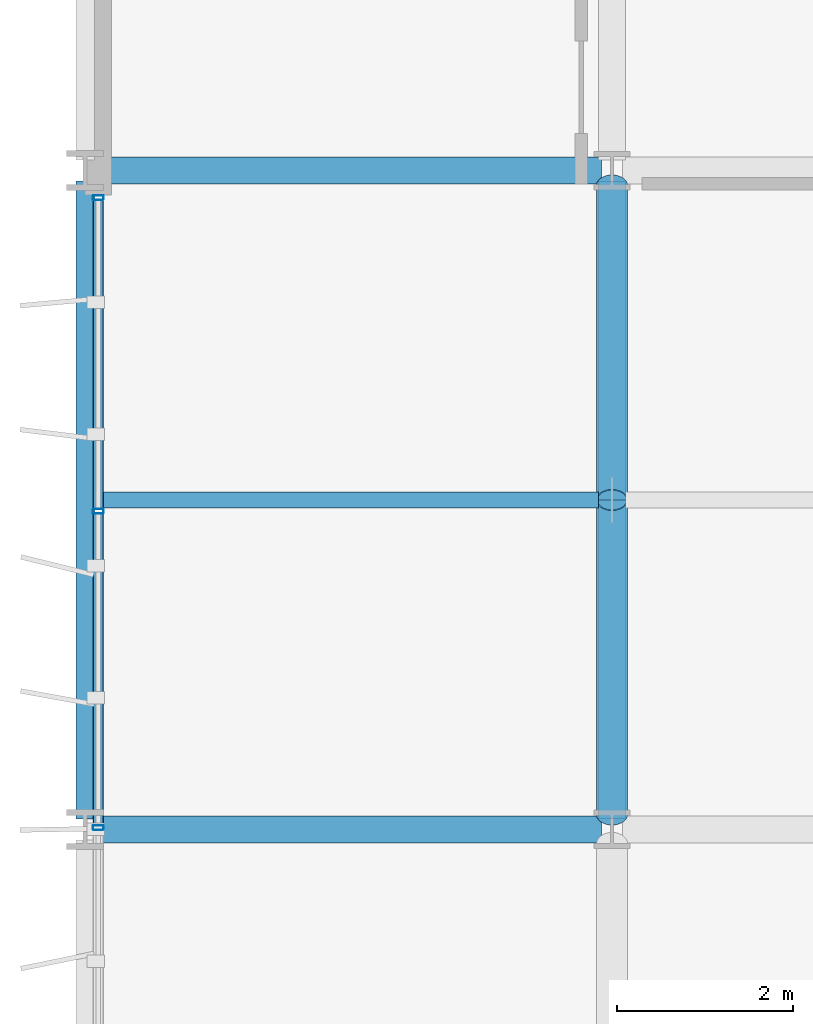
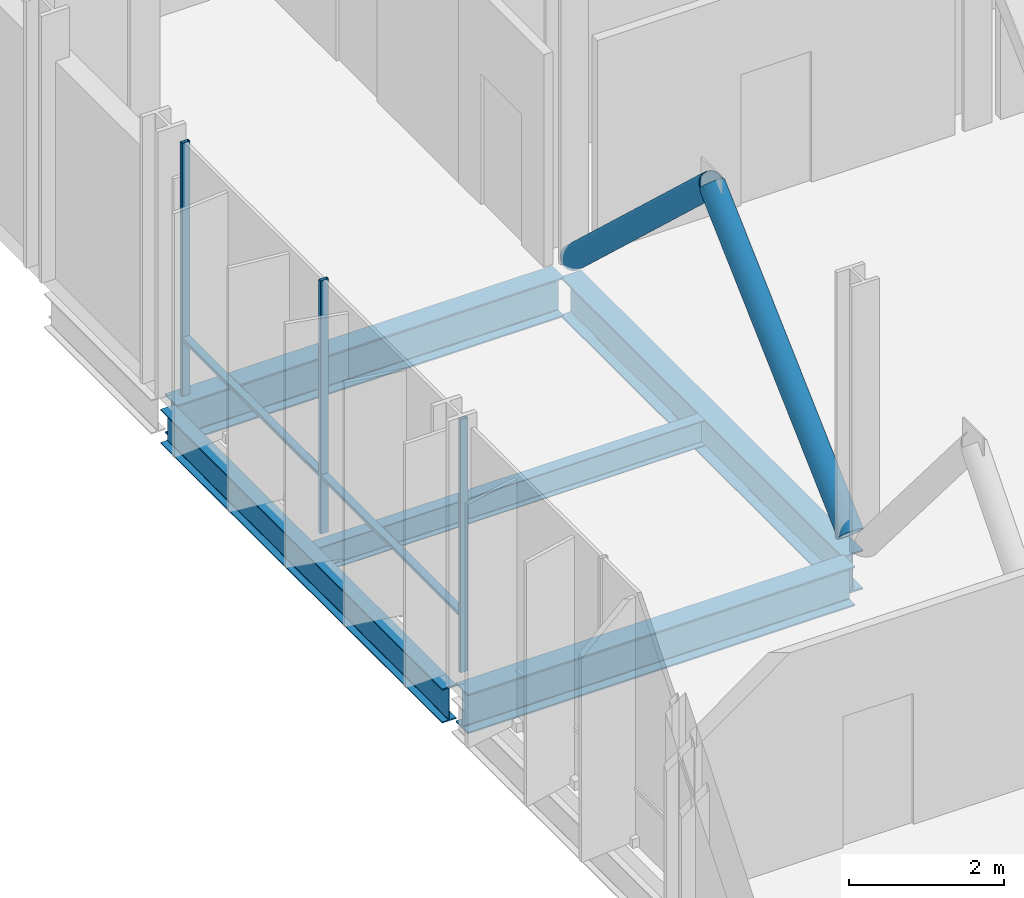
# One storey, part 5 of 32: 7 members, 5 beams, 1 element without a shape of its own.
"""IFC4 building model written with IfcOpenShell, lengths in metres."""

from ifc_helpers import new_model, si_unit, direction, frame, origin, origin_2d, place, context, subcontext, project, spatial, hollow_rectangle, hollow_circle, i_section, extrude, material, layer, layer_set, material_profile, profile_set, type_object, element, aggregate, save


model = new_model("IFC4")

# Units and contexts
model_context = context("Model", 3, precision=1e-05, world=origin(), true_north=direction((0.0, 1.0)))
body_context = subcontext(model_context, "Body", "Model", "MODEL_VIEW")
ifc_project = project(units=[si_unit("LENGTHUNIT", "METRE"), si_unit("AREAUNIT", "SQUARE_METRE"), si_unit("VOLUMEUNIT", "CUBIC_METRE"), si_unit("PLANEANGLEUNIT", "RADIAN"), si_unit("MASSUNIT", "GRAM", prefix="KILO")], contexts=[model_context])

# Site, building, storey
site_placement = place(None, origin())
site = spatial("IfcSite", under=ifc_project, at=site_placement, CompositionType="ELEMENT")
building_placement = place(site_placement, origin())
building = spatial("IfcBuilding", under=site, at=building_placement, Name="Brevholm Reach", CompositionType="ELEMENT")
storey_placement = place(building_placement, frame((0.0, 0.0, 96.199951171875)))
storey = spatial("IfcBuildingStorey", under=building, at=storey_placement, Name="L28", CompositionType="ELEMENT", Elevation=96.199951171875)

# Beams
ifc_material_1 = material(Name="Structural Steel S355J2", Category="steel")
ifc_material_profile_1 = material_profile(ifc_material_1, i_section(OverallWidth=0.177978515625, OverallDepth=0.406494140625, WebThickness=0.0078125, FlangeThickness=0.0126953125, FilletRadius=0.01025390625, at=origin_2d()), Name="UKB 406x178x60")
ifc_profile_set_1 = profile_set([ifc_material_profile_1], Name="Structural Steel S355J2")
beam_type_1 = type_object("IfcBeamType", Name="BM-B406", PredefinedType="BEAM", material=ifc_profile_set_1)
beam_1_placement = place(storey_placement, frame((0.10546875, 19.75, -0.463134765625), z_axis=(1.0, 0.0, 0.0), x_axis=(0.0, 1.0, 0.0)))
element("IfcBeam", 1, at=beam_1_placement, inside=storey, type_object=beam_type_1, Name="L28 Composite Secondary Floor Beam", PredefinedType="BEAM", context=body_context, shape_type="SweptSolid", body=[
    extrude(i_section(OverallWidth=0.177978515625, OverallDepth=0.406494140625, WebThickness=0.0078125, FlangeThickness=0.0126953125, FilletRadius=0.01025390625, at=origin_2d()), origin(), (0.0, 0.0, 1.0), 5.740966796875),
])
ifc_material_2 = material(Name="Structural Steel S355J2", Category="steel")
ifc_material_profile_2 = material_profile(ifc_material_2, i_section(OverallWidth=0.210693359375, OverallDepth=0.53955078125, WebThickness=0.01171875, FlangeThickness=0.018798828125, FilletRadius=0.0126953125, at=origin_2d()), Name="UKB 533x210x109")
ifc_profile_set_2 = profile_set([ifc_material_profile_2], Name="Structural Steel S355J2")
beam_type_2 = type_object("IfcBeamType", Name="BM-SP539", PredefinedType="SPANDREL", material=ifc_profile_set_2)
beam_2_placement = place(storey_placement, frame((0.0, 16.1201171875, -0.52978515625), z_axis=(0.0, 1.0, 0.0), x_axis=(-1.0, 0.0, 0.0)))
element("IfcBeam", 2, at=beam_2_placement, inside=storey, type_object=beam_type_2, Name="L28 SP-01B Framing Beam", PredefinedType="SPANDREL", context=body_context, shape_type="SweptSolid", body=[
    extrude(i_section(OverallWidth=0.210693359375, OverallDepth=0.53955078125, WebThickness=0.01171875, FlangeThickness=0.018798828125, FilletRadius=0.0126953125, at=origin_2d()), origin(), (0.0, 0.0, 1.0), 7.259765625),
])
ifc_material_3 = material(Name="Structural Steel S355J2", Category="steel")
ifc_material_profile_3 = material_profile(ifc_material_3, i_section(OverallWidth=0.30712890625, OverallDepth=0.6201171875, WebThickness=0.01416015625, FlangeThickness=0.023681640625, FilletRadius=0.0166015625, at=origin_2d()), Name="UKB 610x305x179")
ifc_profile_set_3 = profile_set([ifc_material_profile_3], Name="Structural Steel S355J2")
beam_type_3 = type_object("IfcBeamType", Name="BM-UKB610H", PredefinedType="USERDEFINED", material=ifc_profile_set_3)
for number, where, z_axis, x_axis, name in (
    (3, (0.1201171875, 16.0, -0.570068359375), (1.0, 0.0, 0.0), (0.0, 1.0, 0.0), "L28 G-06 Framing Beam"),
    (4, (0.1201171875, 23.5, -0.570068359375), (1.0, 0.0, 0.0), (0.0, 1.0, 0.0), "L28 G-06 Framing Beam"),
):
    element("IfcBeam", number, at=place(storey_placement, frame(where, z_axis=z_axis, x_axis=x_axis)), inside=storey, type_object=beam_type_3, Name=name, ObjectType="GIRDER", PredefinedType="USERDEFINED", context=body_context, shape_type="SweptSolid", body=[
        extrude(i_section(OverallWidth=0.30712890625, OverallDepth=0.6201171875, WebThickness=0.01416015625, FlangeThickness=0.023681640625, FilletRadius=0.0166015625, at=origin_2d()), origin(), (0.0, 0.0, 1.0), 5.759765625),
    ])
beam_3_placement = place(storey_placement, frame((6.0, 16.1201171875, -0.570068359375), z_axis=(0.0, 1.0, 0.0), x_axis=(-1.0, 0.0, 0.0)))
element("IfcBeam", 5, at=beam_3_placement, inside=storey, type_object=beam_type_3, Name="L28 G-06 Framing Beam", ObjectType="GIRDER", PredefinedType="USERDEFINED", context=body_context, shape_type="SweptSolid", body=[
    extrude(i_section(OverallWidth=0.30712890625, OverallDepth=0.6201171875, WebThickness=0.01416015625, FlangeThickness=0.023681640625, FilletRadius=0.0166015625, at=origin_2d()), origin(), (0.0, 0.0, 1.0), 7.259765625),
])

# Curtain wall, members
ifc_material_4 = material(Name="Dark Anodised Aluminium 6063-T6 and Solar-Control Glass", Category="aluminium")
ifc_layer = layer(ifc_material_4, 0.1201171875)
ifc_layer_set = layer_set([ifc_layer], Name="Dark Anodised Aluminium 6063-T6 and Solar-Control Glass")
curtain_wall_type = type_object("IfcCurtainWallType", Name="CW-06", PredefinedType="NOTDEFINED", material=ifc_layer_set)
curtain_wall_placement = place(storey_placement, origin())
curtain_wall = element("IfcCurtainWall", 6, at=curtain_wall_placement, inside=storey, type_object=curtain_wall_type, Name="L28 Curtain Wall CW-06", PredefinedType="NOTDEFINED")
ifc_material_5 = material(Name="Dark Anodised Aluminium 6063-T6", Category="aluminium")
ifc_material_profile_4 = material_profile(ifc_material_5, hollow_rectangle(XDim=0.054931640625, YDim=0.1201171875, WallThickness=0.00390625, InnerFilletRadius=0.00390625, OuterFilletRadius=0.008056640625, at=origin_2d()), Name="RHS 120x55x4")
ifc_profile_set_4 = profile_set([ifc_material_profile_4], Name="Dark Anodised Aluminium 6063-T6")
member_type_1 = type_object("IfcMemberType", Name="CWM-120", PredefinedType="MULLION", material=ifc_profile_set_4)
member_1_placement = place(storey_placement, frame((0.14990234375, 23.1923828125, 0.0), z_axis=(0.0, 0.0, 1.0), x_axis=(0.0, -1.0, 0.0)))
member_1 = element("IfcMember", 7, at=member_1_placement, type_object=member_type_1, Name="CM-120 Mullion 1", PredefinedType="MULLION", context=body_context, shape_type="SweptSolid", body=[
    extrude(hollow_rectangle(XDim=0.054931640625, YDim=0.1201171875, WallThickness=0.00390625, InnerFilletRadius=0.00390625, OuterFilletRadius=0.008056640625, at=origin_2d()), origin(), (0.0, 0.0, 1.0), 3.97998046875),
])
member_2_placement = place(storey_placement, frame((0.14990234375, 19.6201171875, 0.0), z_axis=(0.0, 0.0, 1.0), x_axis=(0.0, -1.0, 0.0)))
member_2 = element("IfcMember", 8, at=member_2_placement, type_object=member_type_1, Name="CM-120 Mullion 2", PredefinedType="MULLION", context=body_context, shape_type="SweptSolid", body=[
    extrude(hollow_rectangle(XDim=0.054931640625, YDim=0.1201171875, WallThickness=0.00390625, InnerFilletRadius=0.00390625, OuterFilletRadius=0.008056640625, at=origin_2d()), origin(), (0.0, 0.0, 1.0), 3.97998046875),
])
member_3_placement = place(storey_placement, frame((0.14990234375, 16.02001953125, 0.0), z_axis=(0.0, 0.0, 1.0), x_axis=(0.0, -1.0, 0.0)))
member_3 = element("IfcMember", 9, at=member_3_placement, type_object=member_type_1, Name="CM-120 Mullion 3", PredefinedType="MULLION", context=body_context, shape_type="SweptSolid", body=[
    extrude(hollow_rectangle(XDim=0.054931640625, YDim=0.1201171875, WallThickness=0.00390625, InnerFilletRadius=0.00390625, OuterFilletRadius=0.008056640625, at=origin_2d()), origin(), (0.0, 0.0, 1.0), 3.97998046875),
])
ifc_material_6 = material(Name="Dark Anodised Aluminium 6063-T6", Category="aluminium")
ifc_material_profile_5 = material_profile(ifc_material_6, hollow_rectangle(XDim=0.054931640625, YDim=0.1201171875, WallThickness=0.00390625, InnerFilletRadius=0.00390625, OuterFilletRadius=0.008056640625, at=origin_2d()), Name="RHS 120x55x4")
ifc_profile_set_5 = profile_set([ifc_material_profile_5], Name="Dark Anodised Aluminium 6063-T6")
member_type_2 = type_object("IfcMemberType", Name="CWT-120", PredefinedType="NOTDEFINED", material=ifc_profile_set_5)
member_4_placement = place(storey_placement, frame((0.14990234375, 23.1650390625, 0.900146484375), z_axis=(0.0, -1.0, 0.0), x_axis=(0.0, 0.0, 1.0)))
member_4 = element("IfcMember", 10, at=member_4_placement, type_object=member_type_2, Name="CT-120 Transom 1.1", ObjectType="TRANSOM", PredefinedType="USERDEFINED", context=body_context, shape_type="SweptSolid", body=[
    extrude(hollow_rectangle(XDim=0.054931640625, YDim=0.1201171875, WallThickness=0.00390625, InnerFilletRadius=0.00390625, OuterFilletRadius=0.008056640625, at=origin_2d()), origin(), (0.0, 0.0, 1.0), 3.517578125),
])
member_5_placement = place(storey_placement, frame((0.14990234375, 19.592529296875, 0.900146484375), z_axis=(0.0, -1.0, 0.0), x_axis=(0.0, 0.0, 1.0)))
member_5 = element("IfcMember", 11, at=member_5_placement, type_object=member_type_2, Name="CT-120 Transom 2.1", ObjectType="TRANSOM", PredefinedType="USERDEFINED", context=body_context, shape_type="SweptSolid", body=[
    extrude(hollow_rectangle(XDim=0.054931640625, YDim=0.1201171875, WallThickness=0.00390625, InnerFilletRadius=0.00390625, OuterFilletRadius=0.008056640625, at=origin_2d()), origin(), (0.0, 0.0, 1.0), 3.544921875),
])
aggregate(curtain_wall, [member_1, member_2, member_3, member_4, member_5])

# Members
ifc_material_7 = material(Name="Structural Steel S355J2H", Category="steel")
ifc_material_profile_6 = material_profile(ifc_material_7, hollow_circle(Radius=0.177734375, WallThickness=0.012451171875, at=origin_2d()), Name="CHS 355.6x12.5")
ifc_profile_set_6 = profile_set([ifc_material_profile_6], Name="Structural Steel S355J2H")
member_type_3 = type_object("IfcMemberType", Name="MEM-BB-CHS355", PredefinedType="BRACE", material=ifc_profile_set_6)
for number, where, z_axis, x_axis, name in (
    (12, (6.0, 16.169921875, 0.02001953125), (0.0, 0.731936034161, 0.681373349858), (-1.0, 0.0, 0.0), "L28 Belt Truss Brace BB-02A"),
    (13, (6.0, 19.75, 3.352783203125), (0.0, 0.731936034161, -0.681373349858), (-1.0, 0.0, 0.0), "L28 Belt Truss Brace BB-02B"),
):
    element("IfcMember", number, at=place(storey_placement, frame(where, z_axis=z_axis, x_axis=x_axis)), inside=storey, type_object=member_type_3, Name=name, PredefinedType="BRACE", context=body_context, shape_type="SweptSolid", body=[
        extrude(hollow_circle(Radius=0.177734375, WallThickness=0.012451171875, at=origin_2d()), origin(), (0.0, 0.0, 1.0), 4.891357421875),
    ])

save(model, "model.ifc")
